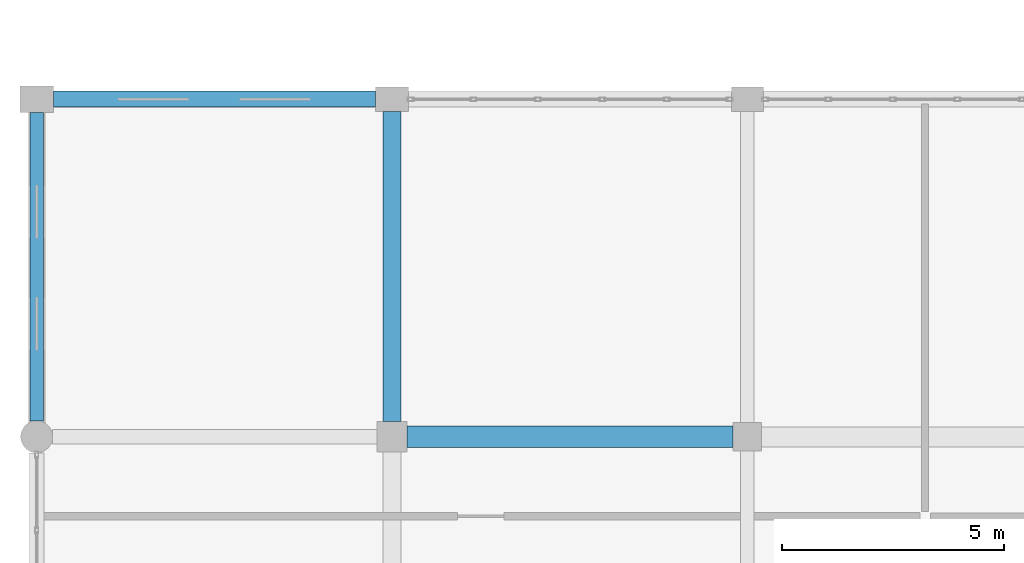
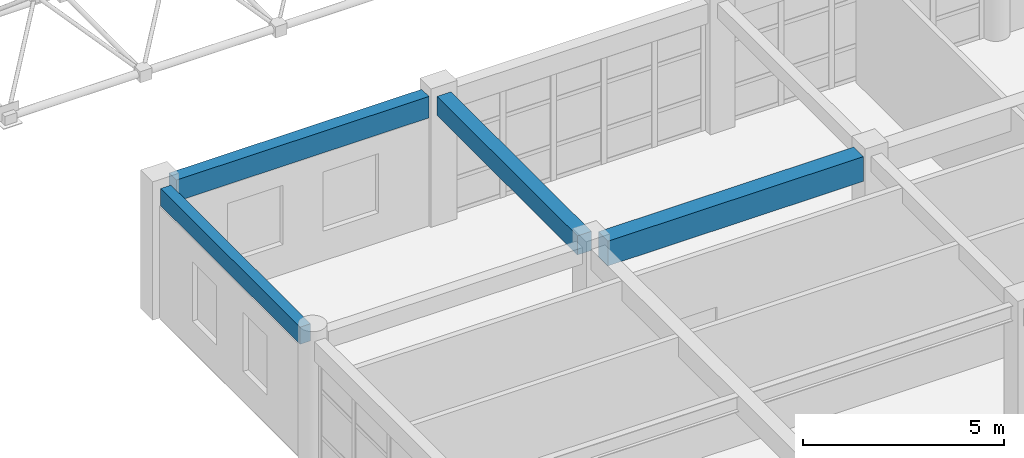
# One storey, part 37 of 195: 4 beams.
"""IFC4 building model written with IfcOpenShell, lengths in metres."""

from ifc_helpers import new_model, si_unit, direction, frame, origin, origin_2d, place, context, subcontext, project, spatial, rectangle, extrude, material, material_profile, profile_set, type_object, element, save


model = new_model("IFC4")

# Units and contexts
model_context = context("Model", 3, precision=1e-05, world=origin(), true_north=direction((0.0, 1.0)))
body_context = subcontext(model_context, "Body", "Model", "MODEL_VIEW")
ifc_project = project(units=[si_unit("LENGTHUNIT", "METRE"), si_unit("AREAUNIT", "SQUARE_METRE"), si_unit("VOLUMEUNIT", "CUBIC_METRE"), si_unit("PLANEANGLEUNIT", "RADIAN"), si_unit("MASSUNIT", "GRAM", prefix="KILO")], contexts=[model_context])

# Site, building, storey
site_placement = place(None, origin())
site = spatial("IfcSite", under=ifc_project, at=site_placement, CompositionType="ELEMENT")
building_placement = place(site_placement, origin())
building = spatial("IfcBuilding", under=site, at=building_placement, Name="Kharva Crest Polytechnic", CompositionType="ELEMENT")
storey_placement = place(building_placement, frame((0.0, 0.0, 9.0)))
storey = spatial("IfcBuildingStorey", under=building, at=storey_placement, Name="L02", CompositionType="ELEMENT", Elevation=9.0)

# Beams
ifc_material = material(Name="Concrete C35/45", Category="concrete")
ifc_material_profile_1 = material_profile(ifc_material, rectangle(XDim=0.39990234375, YDim=0.580078125, at=origin_2d()), Name="RECT 400 X 580")
ifc_profile_set_1 = profile_set([ifc_material_profile_1], Name="Concrete C35/45")
beam_type_1 = type_object("IfcBeamType", Name="BM-RC-400X580", PredefinedType="BEAM", material=ifc_profile_set_1)
beam_1_placement = place(storey_placement, frame((8.0, 23.139892578125, 3.6298828125), z_axis=(0.0, 1.0, 0.0), x_axis=(-1.0, 0.0, 0.0)))
element("IfcBeam", 1, at=beam_1_placement, inside=storey, type_object=beam_type_1, Name="L02 Girder 2/D-E", PredefinedType="BEAM", context=body_context, shape_type="SweptSolid", body=[
    extrude(rectangle(XDim=0.39990234375, YDim=0.580078125, at=origin_2d()), origin(), (0.0, 0.0, 1.0), 6.985107421875),
])
ifc_material_profile_2 = material_profile(ifc_material, rectangle(XDim=0.47998046875, YDim=0.75, at=origin_2d()), Name="RECT 480 X 750")
ifc_profile_set_2 = profile_set([ifc_material_profile_2], Name="Concrete C35/45")
beam_type_2 = type_object("IfcBeamType", Name="BM-RC-480X750", PredefinedType="BEAM", material=ifc_profile_set_2)
beam_2_placement = place(storey_placement, frame((8.340087890625, 22.800048828125, 3.544921875), z_axis=(1.0, 0.0, 0.0), x_axis=(0.0, 1.0, 0.0)))
element("IfcBeam", 2, at=beam_2_placement, inside=storey, type_object=beam_type_2, Name="L02 Beam D/2-3", PredefinedType="BEAM", context=body_context, shape_type="SweptSolid", body=[
    extrude(rectangle(XDim=0.47998046875, YDim=0.75, at=origin_2d()), origin(), (0.0, 0.0, 1.0), 7.3349609375),
])
ifc_material_profile_3 = material_profile(ifc_material, rectangle(XDim=0.300048828125, YDim=0.52001953125, at=origin_2d()), Name="RECT 300 X 520")
ifc_profile_set_3 = profile_set([ifc_material_profile_3], Name="Concrete C35/45")
beam_type_3 = type_object("IfcBeamType", Name="SP-RC-300X520", PredefinedType="SPANDREL", material=ifc_profile_set_3)
beam_3_placement = place(storey_placement, frame((0.0, 23.159912109375, 3.659912109375), z_axis=(0.0, 1.0, 0.0), x_axis=(-1.0, 0.0, 0.0)))
element("IfcBeam", 3, at=beam_3_placement, inside=storey, type_object=beam_type_3, Name="L02 Girder 1/D-E", PredefinedType="SPANDREL", context=body_context, shape_type="SweptSolid", body=[
    extrude(rectangle(XDim=0.300048828125, YDim=0.52001953125, at=origin_2d()), origin(), (0.0, 0.0, 1.0), 6.940185546875),
])
ifc_material_profile_4 = material_profile(ifc_material, rectangle(XDim=0.360107421875, YDim=0.64990234375, at=origin_2d()), Name="RECT 360 X 650")
ifc_profile_set_4 = profile_set([ifc_material_profile_4], Name="Concrete C35/45")
beam_type_4 = type_object("IfcBeamType", Name="SP-RC-360X650", PredefinedType="SPANDREL", material=ifc_profile_set_4)
beam_4_placement = place(storey_placement, frame((0.375, 30.39990234375, 3.594970703125), z_axis=(1.0, 0.0, 0.0), x_axis=(0.0, 1.0, 0.0)))
element("IfcBeam", 4, at=beam_4_placement, inside=storey, type_object=beam_type_4, Name="L02 Beam E/1-2", PredefinedType="SPANDREL", context=body_context, shape_type="SweptSolid", body=[
    extrude(rectangle(XDim=0.360107421875, YDim=0.64990234375, at=origin_2d()), origin(), (0.0, 0.0, 1.0), 7.25),
])

save(model, "model.ifc")
